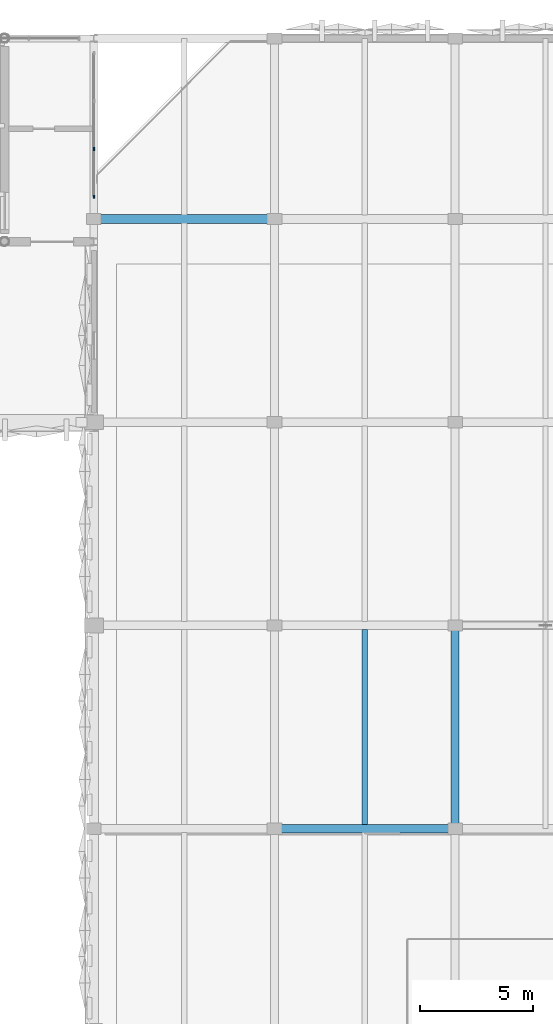
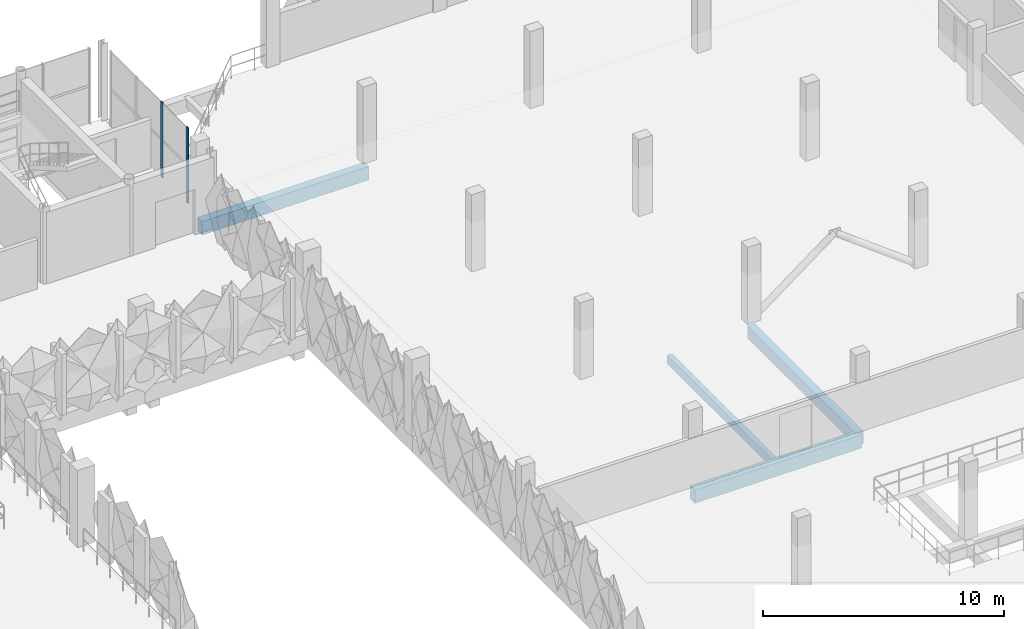
# One storey, part 25 of 76: 4 beams, 2 members, 1 element without a shape of its own.
"""IFC4 building model written with IfcOpenShell, lengths in metres."""

from ifc_helpers import new_model, si_unit, derived_unit, direction, frame, origin, origin_2d, place, context, subcontext, project, spatial, rectangle, extrude, material, layer, layer_set, material_profile, profile_set, type_object, element, aggregate, save


model = new_model("IFC4")

# Units and contexts
model_context = context("Model", 3, precision=1e-05, world=origin(), true_north=direction((0.0, 1.0)))
body_context = subcontext(model_context, "Body", "Model", "MODEL_VIEW")
ifc_project = project(units=[si_unit("LENGTHUNIT", "METRE"), si_unit("AREAUNIT", "SQUARE_METRE"), si_unit("VOLUMEUNIT", "CUBIC_METRE"), si_unit("PLANEANGLEUNIT", "RADIAN"), si_unit("MASSUNIT", "GRAM", prefix="KILO"), si_unit("THERMODYNAMICTEMPERATUREUNIT", "KELVIN"), derived_unit("THERMALTRANSMITTANCEUNIT", [(si_unit("POWERUNIT", "WATT"), 1), (si_unit("AREAUNIT", "SQUARE_METRE"), -1), (si_unit("THERMODYNAMICTEMPERATUREUNIT", "KELVIN"), -1)])], contexts=[model_context])

# Site, building, storey
site_placement = place(None, origin())
site = spatial("IfcSite", under=ifc_project, at=site_placement, CompositionType="ELEMENT")
building_placement = place(site_placement, origin())
building = spatial("IfcBuilding", under=site, at=building_placement, Name="Haiyu Intermodal Mobility Hub", CompositionType="ELEMENT")
storey_placement = place(building_placement, frame((0.0, 0.0, 17.300048828125)))
storey = spatial("IfcBuildingStorey", under=building, at=storey_placement, Name="L04", CompositionType="ELEMENT", Elevation=17.300048828125)

# Beams
ifc_material_1 = material(Name="Concrete C40", Category="concrete")
ifc_material_profile_1 = material_profile(ifc_material_1, rectangle(XDim=0.3798828125, YDim=0.679931640625, at=origin_2d()), Name="B380x680")
ifc_profile_set_1 = profile_set([ifc_material_profile_1], Name="Concrete C40")
beam_type_1 = type_object("IfcBeamType", Name="BM-CB15", PredefinedType="BEAM", material=ifc_profile_set_1)
for number, where, z_axis, x_axis, name in (
    (1, (170.0, 113.0, -0.60009765625), (1.0, 0.0, 0.0), (0.0, 1.0, 0.0), "BM-V6G-L04-026"),
    (2, (162.0, 140.0, -0.60009765625), (1.0, 0.0, 0.0), (0.0, 1.0, 0.0), "BM-V6G-L04-043"),
):
    element("IfcBeam", number, at=place(storey_placement, frame(where, z_axis=z_axis, x_axis=x_axis)), inside=storey, type_object=beam_type_1, Name=name, PredefinedType="BEAM", context=body_context, shape_type="SweptSolid", body=[
        extrude(rectangle(XDim=0.3798828125, YDim=0.679931640625, at=origin_2d()), origin(), (0.0, 0.0, 1.0), 8.0),
    ])
ifc_material_profile_2 = material_profile(ifc_material_1, rectangle(XDim=0.360107421875, YDim=0.6201171875, at=origin_2d()), Name="B360x620")
ifc_profile_set_2 = profile_set([ifc_material_profile_2], Name="Concrete C40")
beam_type_2 = type_object("IfcBeamType", Name="BM-CB16", PredefinedType="BEAM", material=ifc_profile_set_2)
beam_1_placement = place(storey_placement, frame((178.0, 113.0, -0.570068359375), z_axis=(0.0, 1.0, 0.0), x_axis=(-1.0, 0.0, 0.0)))
element("IfcBeam", 3, at=beam_1_placement, inside=storey, type_object=beam_type_2, Name="BM-V6T-L04-021", PredefinedType="BEAM", context=body_context, shape_type="SweptSolid", body=[
    extrude(rectangle(XDim=0.360107421875, YDim=0.6201171875, at=origin_2d()), origin(), (0.0, 0.0, 1.0), 9.0),
])
ifc_material_profile_3 = material_profile(ifc_material_1, rectangle(XDim=0.239990234375, YDim=0.43994140625, at=origin_2d()), Name="B240x440")
ifc_profile_set_3 = profile_set([ifc_material_profile_3], Name="Concrete C40")
beam_type_3 = type_object("IfcBeamType", Name="BM-CB19", PredefinedType="JOIST", material=ifc_profile_set_3)
beam_2_placement = place(storey_placement, frame((174.0, 113.175048828125, -0.47998046875), z_axis=(0.0, 1.0, 0.0), x_axis=(-1.0, 0.0, 0.0)))
element("IfcBeam", 4, at=beam_2_placement, inside=storey, type_object=beam_type_3, Name="BM-V6J-L04-013", PredefinedType="JOIST", context=body_context, shape_type="SweptSolid", body=[
    extrude(rectangle(XDim=0.239990234375, YDim=0.43994140625, at=origin_2d()), origin(), (0.0, 0.0, 1.0), 8.64990234375),
])

# Curtain wall, members
ifc_material_2 = material(Name="Low-e laminated insulating glass", Category="glass")
ifc_layer = layer(ifc_material_2, 0.199951171875)
ifc_layer_set = layer_set([ifc_layer], Name="Low-e laminated insulating glass")
curtain_wall_type = type_object("IfcCurtainWallType", Name="CW-CW03", PredefinedType="NOTDEFINED", material=ifc_layer_set)
curtain_wall_placement = place(storey_placement, origin())
curtain_wall = element("IfcCurtainWall", 5, at=curtain_wall_placement, inside=storey, type_object=curtain_wall_type, Name="Curtain Wall CW-C4S-L04-072", PredefinedType="NOTDEFINED")
ifc_material_3 = material(Name="Anodised aluminium 6063-T6", Category="aluminium")
ifc_material_profile_4 = material_profile(ifc_material_3, rectangle(XDim=0.06005859375, YDim=0.14501953125, at=origin_2d()), Name="ALU60x145")
ifc_profile_set_4 = profile_set([ifc_material_profile_4], Name="Anodised aluminium 6063-T6")
member_type = type_object("IfcMemberType", Name="CWM-ML03", PredefinedType="MULLION", material=ifc_profile_set_4)
member_1_placement = place(storey_placement, frame((162.0, 140.989990234375, 0.0), z_axis=(0.0, 0.0, 1.0), x_axis=(1.0, 0.0, 0.0)))
member_1 = element("IfcMember", 6, at=member_1_placement, type_object=member_type, Name="CW-C4S-L04-072-ML01", PredefinedType="MULLION", context=body_context, shape_type="SweptSolid", body=[
    extrude(rectangle(XDim=0.06005859375, YDim=0.14501953125, at=origin_2d()), origin(), (0.0, 0.0, 1.0), 3.820068359375),
])
member_2_placement = place(storey_placement, frame((162.0, 143.10693359375, 0.0), z_axis=(0.0, 0.0, 1.0), x_axis=(1.0, 0.0, 0.0)))
member_2 = element("IfcMember", 7, at=member_2_placement, type_object=member_type, Name="CW-C4S-L04-072-ML02", PredefinedType="MULLION", context=body_context, shape_type="SweptSolid", body=[
    extrude(rectangle(XDim=0.06005859375, YDim=0.14501953125, at=origin_2d()), origin(), (0.0, 0.0, 1.0), 3.820068359375),
])
aggregate(curtain_wall, [member_1, member_2])

save(model, "model.ifc")
